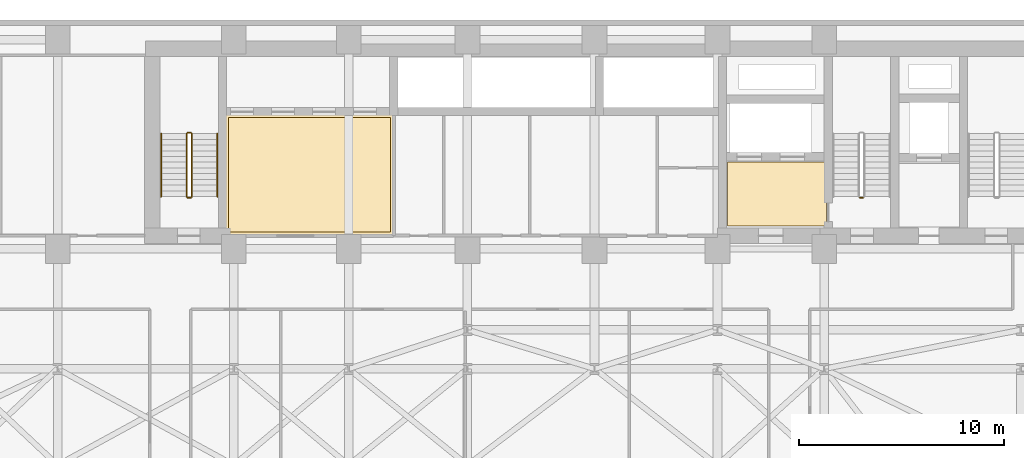
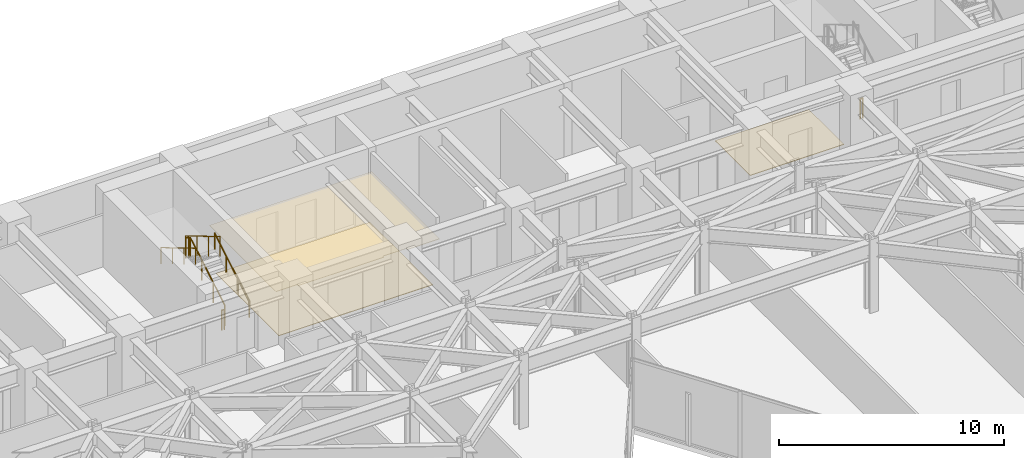
# One storey, part 24 of 25: 7 railings, 3 coverings.
"""IFC4 building model written with IfcOpenShell, lengths in metres."""

from ifc_helpers import new_model, si_unit, direction, frame, origin, origin_2d, place, context, subcontext, project, spatial, polyline, circle, outline, extrude, material, layer, layer_set, type_object, element, save


model = new_model("IFC4")

# Units and contexts
model_context = context("Model", 3, precision=1e-05, world=origin(), true_north=direction((0.0, 1.0)))
body_context = subcontext(model_context, "Body", "Model", "MODEL_VIEW")
ifc_project = project(units=[si_unit("LENGTHUNIT", "METRE"), si_unit("AREAUNIT", "SQUARE_METRE"), si_unit("VOLUMEUNIT", "CUBIC_METRE"), si_unit("PLANEANGLEUNIT", "RADIAN"), si_unit("MASSUNIT", "GRAM", prefix="KILO")], contexts=[model_context])

# Site, building, storey
site_placement = place(None, origin())
site = spatial("IfcSite", under=ifc_project, at=site_placement, CompositionType="ELEMENT")
building_placement = place(site_placement, origin())
building = spatial("IfcBuilding", under=site, at=building_placement, Name="Kravanh Interchange Tower", CompositionType="ELEMENT")
storey_placement = place(building_placement, frame((0.0, 0.0, 49.5)))
storey = spatial("IfcBuildingStorey", under=building, at=storey_placement, Name="L11", CompositionType="ELEMENT", Elevation=49.5)

# Coverings
ifc_material_1 = material(Name="Cementitious Terrazzo Tile")
ifc_layer_1 = layer(ifc_material_1, 0.030029296875)
ifc_layer_set_1 = layer_set([ifc_layer_1], Name="Honed Terrazzo Lobby Flooring 30mm")
covering_type_1 = type_object("IfcCoveringType", Name="Honed Terrazzo Lobby Flooring 30mm", PredefinedType="FLOORING", material=ifc_layer_set_1)
covering_1_placement = place(storey_placement, origin())
element("IfcCovering", 1, at=covering_1_placement, inside=storey, type_object=covering_type_1, Name="L11 Firefighting Lobby Floor Finish", PredefinedType="FLOORING", context=body_context, shape_type="SweptSolid", body=[
    extrude(outline(polyline([(56.1201171875, 38.4599609375), (51.300048828125, 38.4599609375), (51.300048828125, 41.580078125), (56.1201171875, 41.580078125), (56.1201171875, 38.4599609375)])), origin(), (0.0, 0.0, 1.0), 0.030029296875),
])
covering_2_placement = place(storey_placement, origin())
element("IfcCovering", 2, at=covering_2_placement, inside=storey, type_object=covering_type_1, Name="L11 Low-Rise Lift Lobby Floor Finish", PredefinedType="FLOORING", context=body_context, shape_type="SweptSolid", body=[
    extrude(outline(polyline([(26.929931640625, 43.77001953125), (34.840087890625, 43.77001953125), (34.840087890625, 38.179931640625), (26.929931640625, 38.179931640625), (26.929931640625, 43.77001953125)])), origin(), (0.0, 0.0, 1.0), 0.030029296875),
])
ifc_material_2 = material(Name="Acoustic Mineral Fibre Tile on Aluminium Grid", Category="aluminium")
ifc_layer_2 = layer(ifc_material_2, 0.02490234375)
ifc_layer_set_2 = layer_set([ifc_layer_2], Name="Perforated Acoustic Mineral Ceiling 25mm")
covering_type_2 = type_object("IfcCoveringType", Name="Perforated Acoustic Mineral Ceiling 25mm", PredefinedType="CEILING", material=ifc_layer_set_2)
covering_3_placement = place(storey_placement, frame((0.0, 0.0, 2.550048828125)))
element("IfcCovering", 3, at=covering_3_placement, inside=storey, type_object=covering_type_2, Name="L11 Low-Rise Lift Lobby Suspended Ceiling", PredefinedType="CEILING", context=body_context, shape_type="SweptSolid", body=[
    extrude(outline(polyline([(35.06005859375, 37.9599609375), (33.39990234375, 37.9599609375), (33.39990234375, 38.050048828125), (32.199951171875, 38.050048828125), (32.199951171875, 37.9599609375), (27.800048828125, 37.9599609375), (27.800048828125, 38.050048828125), (26.7099609375, 38.050048828125), (26.7099609375, 43.989990234375), (35.06005859375, 43.989990234375), (35.06005859375, 37.9599609375)])), origin(), (0.0, 0.0, 1.0), 0.02490234375),
])

# Railings
ifc_material_3 = material(Name="Structural Steel S355", Category="steel")
ifc_layer_3 = layer(ifc_material_3, 0.050048828125)
ifc_layer_set_3 = layer_set([ifc_layer_3], Name="Stair Well Guardrail Structural Steel S355 1100mm")
railing_type_1 = type_object("IfcRailingType", Name="Stair Well Guardrail Structural Steel S355 1100mm", PredefinedType="GUARDRAIL", material=ifc_layer_set_3)
railing_1_placement = place(storey_placement, frame((57.89990234375, 39.85009765625, 0.0)))
element("IfcRailing", 4, at=railing_1_placement, inside=storey, type_object=railing_type_1, Name="L11 ST2 stair guard 4", PredefinedType="GUARDRAIL", context=body_context, shape_type="SweptSolid", body=[
    extrude(circle(Radius=0.02392578125, at=origin_2d()), frame((0.0, 0.0, 1.076171875), z_axis=(-1.0, 0.0, 0.0), x_axis=(0.0, -1.0, 0.0)), (0.0, 0.0, 1.0), 0.14990234375),
    extrude(circle(Radius=0.02099609375, at=origin_2d()), origin(), (0.0, 0.0, 1.0), 1.052001953125),
    extrude(circle(Radius=0.02099609375, at=origin_2d()), frame((-0.14990234375, 0.0, 0.0)), (0.0, 0.0, 1.0), 1.052001953125),
])
railing_2_placement = place(storey_placement, frame((25.14990234375, 39.89990234375, 0.166748046875)))
element("IfcRailing", 5, at=railing_2_placement, inside=storey, type_object=railing_type_1, Name="L11 ST3 stair guard 1", PredefinedType="GUARDRAIL", context=body_context, shape_type="SweptSolid", body=[
    extrude(circle(Radius=0.02392578125, at=origin_2d()), frame((0.0, 0.0, 1.076171875), z_axis=(0.0, 0.859308565015, 0.511457515432), x_axis=(-1.0, 0.0, 0.0)), (0.0, 0.0, 1.0), 3.58447265625),
    extrude(circle(Radius=0.02099609375, at=origin_2d()), origin(), (0.0, 0.0, 1.0), 1.052001953125),
    extrude(circle(Radius=0.02099609375, at=origin_2d()), frame((0.0, 1.026611328125, 0.611083984375)), (0.0, 0.0, 1.0), 1.052001953125),
    extrude(circle(Radius=0.02099609375, at=origin_2d()), frame((0.0, 2.053466796875, 1.22216796875)), (0.0, 0.0, 1.0), 1.052001953125),
    extrude(circle(Radius=0.02099609375, at=origin_2d()), frame((0.0, 3.080078125, 1.833251953125)), (0.0, 0.0, 1.0), 1.052001953125),
])
railing_3_placement = place(storey_placement, frame((25.10009765625, 43.030029296875, 2.0)))
element("IfcRailing", 6, at=railing_3_placement, inside=storey, type_object=railing_type_1, Name="L11 ST3 stair guard 2", PredefinedType="GUARDRAIL", context=body_context, shape_type="SweptSolid", body=[
    extrude(circle(Radius=0.02392578125, at=origin_2d()), frame((0.0, 0.0, 1.076171875), z_axis=(-1.0, 0.0, 0.0), x_axis=(0.0, -1.0, 0.0)), (0.0, 0.0, 1.0), 0.150146484375),
    extrude(circle(Radius=0.02099609375, at=origin_2d()), origin(), (0.0, 0.0, 1.0), 1.052001953125),
    extrude(circle(Radius=0.02099609375, at=origin_2d()), frame((-0.150146484375, 0.0, 0.0)), (0.0, 0.0, 1.0), 1.052001953125),
])
railing_4_placement = place(storey_placement, frame((24.89990234375, 42.97998046875, 2.166748046875)))
element("IfcRailing", 7, at=railing_4_placement, inside=storey, type_object=railing_type_1, Name="L11 ST3 stair guard 3", PredefinedType="GUARDRAIL", context=body_context, shape_type="SweptSolid", body=[
    extrude(circle(Radius=0.02392578125, at=origin_2d()), frame((0.0, 0.0, 1.076171875), z_axis=(0.0, -0.859308565015, 0.511457515432), x_axis=(1.0, 0.0, 0.0)), (0.0, 0.0, 1.0), 3.58447265625),
    extrude(circle(Radius=0.02099609375, at=origin_2d()), origin(), (0.0, 0.0, 1.0), 1.052001953125),
    extrude(circle(Radius=0.02099609375, at=origin_2d()), frame((0.0, -1.026611328125, 0.611083984375)), (0.0, 0.0, 1.0), 1.052001953125),
    extrude(circle(Radius=0.02099609375, at=origin_2d()), frame((0.0, -2.053466796875, 1.22216796875)), (0.0, 0.0, 1.0), 1.052001953125),
    extrude(circle(Radius=0.02099609375, at=origin_2d()), frame((0.0, -3.080078125, 1.833251953125)), (0.0, 0.0, 1.0), 1.052001953125),
])
railing_5_placement = place(storey_placement, frame((25.10009765625, 39.85009765625, 0.0)))
element("IfcRailing", 8, at=railing_5_placement, inside=storey, type_object=railing_type_1, Name="L11 ST3 stair guard 4", PredefinedType="GUARDRAIL", context=body_context, shape_type="SweptSolid", body=[
    extrude(circle(Radius=0.02392578125, at=origin_2d()), frame((0.0, 0.0, 1.076171875), z_axis=(-1.0, 0.0, 0.0), x_axis=(0.0, -1.0, 0.0)), (0.0, 0.0, 1.0), 0.150146484375),
    extrude(circle(Radius=0.02099609375, at=origin_2d()), origin(), (0.0, 0.0, 1.0), 1.052001953125),
    extrude(circle(Radius=0.02099609375, at=origin_2d()), frame((-0.150146484375, 0.0, 0.0)), (0.0, 0.0, 1.0), 1.052001953125),
])
ifc_material_4 = material(Name="Stainless Steel 304", Category="steel")
ifc_layer_4 = layer(ifc_material_4, 0.044921875)
ifc_layer_set_4 = layer_set([ifc_layer_4], Name="Tubular Stair Handrail Stainless 304 900mm")
railing_type_2 = type_object("IfcRailingType", Name="Tubular Stair Handrail Stainless 304 900mm", PredefinedType="HANDRAIL", material=ifc_layer_set_4)
railing_6_placement = place(storey_placement, frame((26.39990234375, 39.89990234375, 0.166748046875)))
element("IfcRailing", 9, at=railing_6_placement, inside=storey, type_object=railing_type_2, Name="L11 ST3 stair handrail 1", PredefinedType="HANDRAIL", context=body_context, shape_type="SweptSolid", body=[
    extrude(circle(Radius=0.02392578125, at=origin_2d()), frame((0.0, 0.0, 0.8759765625), z_axis=(0.0, 0.859308565015, 0.511457515432), x_axis=(-1.0, 0.0, 0.0)), (0.0, 0.0, 1.0), 3.58447265625),
    extrude(circle(Radius=0.02099609375, at=origin_2d()), origin(), (0.0, 0.0, 1.0), 0.851806640625),
    extrude(circle(Radius=0.02099609375, at=origin_2d()), frame((0.0, 1.026611328125, 0.611083984375)), (0.0, 0.0, 1.0), 0.851806640625),
    extrude(circle(Radius=0.02099609375, at=origin_2d()), frame((0.0, 2.053466796875, 1.22216796875)), (0.0, 0.0, 1.0), 0.851806640625),
    extrude(circle(Radius=0.02099609375, at=origin_2d()), frame((0.0, 3.080078125, 1.833251953125)), (0.0, 0.0, 1.0), 0.851806640625),
])
railing_7_placement = place(storey_placement, frame((23.64990234375, 42.97998046875, 2.166748046875)))
element("IfcRailing", 10, at=railing_7_placement, inside=storey, type_object=railing_type_2, Name="L11 ST3 stair handrail 2", PredefinedType="HANDRAIL", context=body_context, shape_type="SweptSolid", body=[
    extrude(circle(Radius=0.02392578125, at=origin_2d()), frame((0.0, 0.0, 0.8759765625), z_axis=(0.0, -0.859308565015, 0.511457515432), x_axis=(1.0, 0.0, 0.0)), (0.0, 0.0, 1.0), 3.58447265625),
    extrude(circle(Radius=0.02099609375, at=origin_2d()), origin(), (0.0, 0.0, 1.0), 0.851806640625),
    extrude(circle(Radius=0.02099609375, at=origin_2d()), frame((0.0, -1.026611328125, 0.611083984375)), (0.0, 0.0, 1.0), 0.851806640625),
    extrude(circle(Radius=0.02099609375, at=origin_2d()), frame((0.0, -2.053466796875, 1.22216796875)), (0.0, 0.0, 1.0), 0.851806640625),
    extrude(circle(Radius=0.02099609375, at=origin_2d()), frame((0.0, -3.080078125, 1.833251953125)), (0.0, 0.0, 1.0), 0.851806640625),
])

save(model, "model.ifc")
